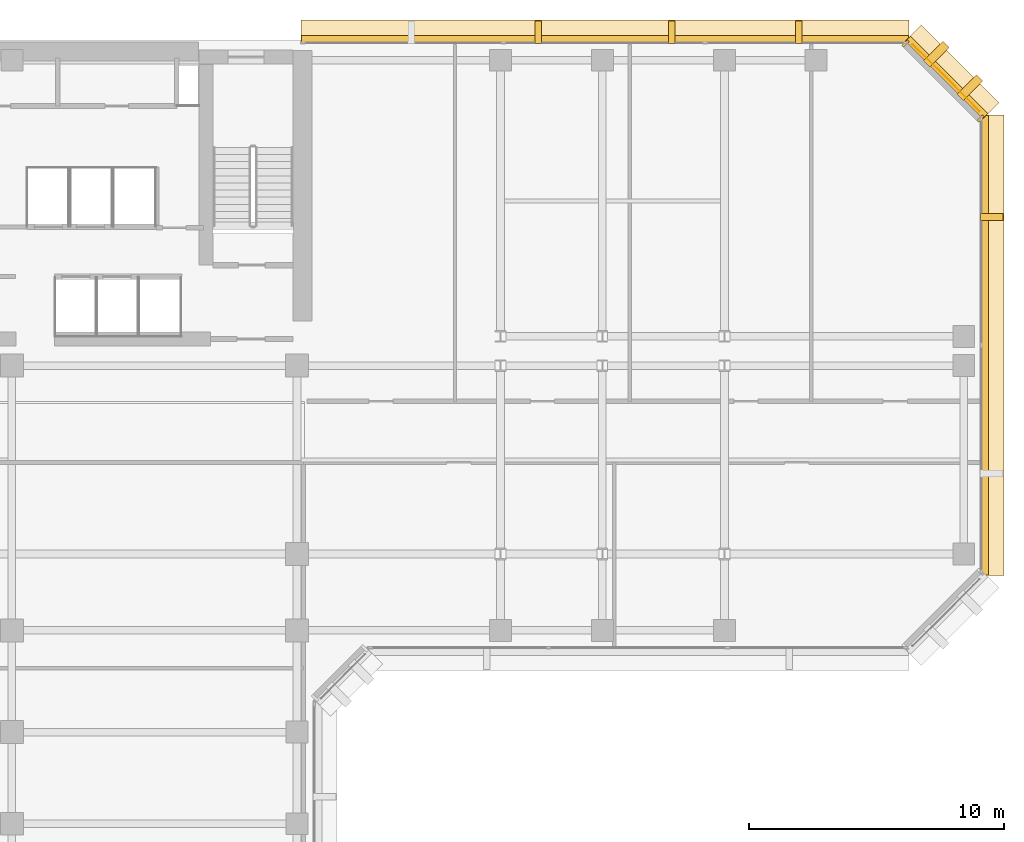
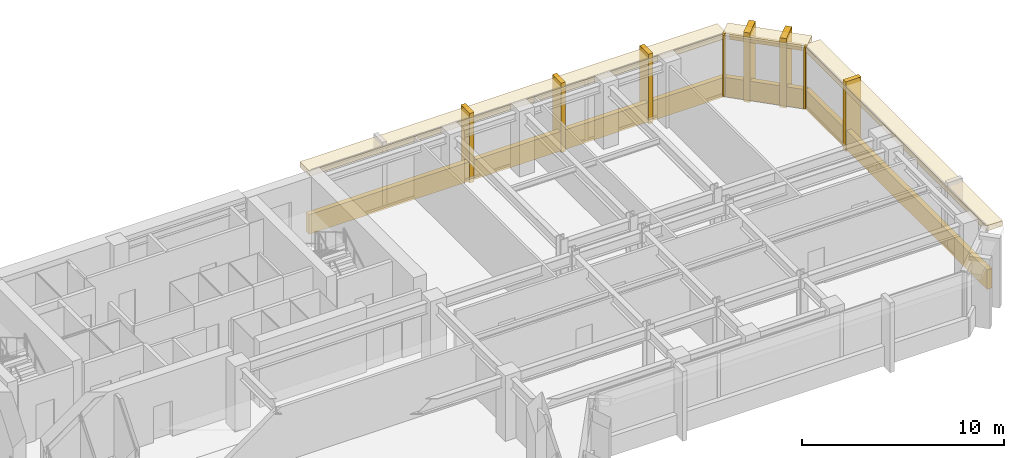
# One storey, part 11 of 11: 15 coverings.
"""IFC4 building model written with IfcOpenShell, lengths in metres."""

from ifc_helpers import new_model, si_unit, direction, frame, origin, origin_2d, place, context, subcontext, project, spatial, rectangle, extrude, material, layer, layer_set, type_object, element, save


model = new_model("IFC4")

# Units and contexts
model_context = context("Model", 3, precision=1e-05, world=origin(), true_north=direction((0.0, 1.0)))
body_context = subcontext(model_context, "Body", "Model", "MODEL_VIEW")
ifc_project = project(units=[si_unit("LENGTHUNIT", "METRE"), si_unit("AREAUNIT", "SQUARE_METRE"), si_unit("VOLUMEUNIT", "CUBIC_METRE"), si_unit("PLANEANGLEUNIT", "RADIAN"), si_unit("MASSUNIT", "GRAM", prefix="KILO")], contexts=[model_context])

# Site, building, storey
site_placement = place(None, origin())
site = spatial("IfcSite", under=ifc_project, at=site_placement, CompositionType="ELEMENT")
building_placement = place(site_placement, origin())
building = spatial("IfcBuilding", under=site, at=building_placement, Name="Kefirva Bronze Tower", CompositionType="ELEMENT")
storey_placement = place(building_placement, frame((0.0, 0.0, 138.929931640625)))
storey = spatial("IfcBuildingStorey", under=building, at=storey_placement, Name="L33", CompositionType="ELEMENT", Elevation=138.929931640625)

# Coverings
ifc_material = material(Name="Bronze anodised aluminium", Category="aluminium")
ifc_layer_1 = layer(ifc_material, 0.02001953125, Name="Bronze anodised aluminium")
ifc_layer_set_1 = layer_set([ifc_layer_1], Name="Bronze anodised aluminium")
covering_type_1 = type_object("IfcCoveringType", Name="Anodised Bronze Spandrel Cladding 20mm", PredefinedType="CLADDING", material=ifc_layer_set_1)
covering_1_placement = place(storey_placement, frame((50.239990234375, 34.0, -0.15966796875), z_axis=(0.0, 0.0, 1.0), x_axis=(0.0, 1.0, 0.0)))
element("IfcCovering", 1, at=covering_1_placement, inside=storey, type_object=covering_type_1, Name="L33 Streamline Horizontal Spandrel Band 6", PredefinedType="CLADDING", context=body_context, shape_type="SweptSolid", body=[
    extrude(rectangle(XDim=18.0400390625, YDim=0.280029296875, at=origin_2d()), origin(), (0.0, 0.0, 1.0), 1.179931640625),
])
covering_2_placement = place(storey_placement, frame((48.70703125, 44.507080078125, 3.2900390625), z_axis=(0.0, 0.0, 1.0), x_axis=(-0.707106781187, 0.707106781187, 0.0)))
element("IfcCovering", 2, at=covering_2_placement, inside=storey, type_object=covering_type_1, Name="L33 Bronze Spandrel Cladding 4", PredefinedType="CLADDING", context=body_context, shape_type="SweptSolid", body=[
    extrude(rectangle(XDim=3.719482421875, YDim=0.02001953125, at=origin_2d()), origin(), (0.0, 0.0, 1.0), 0.39990234375),
])
for number, where, z_axis, x_axis, name in (
    (3, (50.06201171875, 42.91162109375, 0.0), (0.0, 0.0, 1.0), (-0.707106781187, 0.707106781187, 0.0), "L33 Facade Joint Closure Panel 4S"),
    (4, (47.11181640625, 45.862060546875, 0.0), (0.0, 0.0, 1.0), (-0.707106781187, 0.707106781187, 0.0), "L33 Facade Joint Closure Panel 4E"),
):
    element("IfcCovering", number, at=place(storey_placement, frame(where, z_axis=z_axis, x_axis=x_axis)), inside=storey, type_object=covering_type_1, Name=name, PredefinedType="CLADDING", context=body_context, shape_type="SweptSolid", body=[
        extrude(rectangle(XDim=0.10009765625, YDim=0.320068359375, at=origin_2d()), origin(), (0.0, 0.0, 1.0), 3.7099609375),
    ])
covering_3_placement = place(storey_placement, frame((48.728271484375, 44.5283203125, -0.15966796875), z_axis=(0.0, 0.0, 1.0), x_axis=(-0.707106781187, 0.707106781187, 0.0)))
element("IfcCovering", 5, at=covering_3_placement, inside=storey, type_object=covering_type_1, Name="L33 Streamline Horizontal Spandrel Band 7", PredefinedType="CLADDING", context=body_context, shape_type="SweptSolid", body=[
    extrude(rectangle(XDim=4.28271484375, YDim=0.280029296875, at=origin_2d()), origin(), (0.0, 0.0, 1.0), 1.179931640625),
])
covering_4_placement = place(storey_placement, frame((35.302490234375, 46.0400390625, -0.15966796875), z_axis=(0.0, 0.0, 1.0), x_axis=(-1.0, 0.0, 0.0)))
element("IfcCovering", 6, at=covering_4_placement, inside=storey, type_object=covering_type_1, Name="L33 Streamline Horizontal Spandrel Band 8", PredefinedType="CLADDING", context=body_context, shape_type="SweptSolid", body=[
    extrude(rectangle(XDim=23.8349609375, YDim=0.280029296875, at=origin_2d()), origin(), (0.0, 0.0, 1.0), 1.179931640625),
])
ifc_layer_2 = layer(ifc_material, 0.179931640625, Name="Bronze anodised aluminium")
ifc_layer_set_2 = layer_set([ifc_layer_2], Name="Bronze anodised aluminium")
covering_type_2 = type_object("IfcCoveringType", Name="Streamline Bronze Sunshade Eyebrow Cladding 180mm", PredefinedType="CLADDING", material=ifc_layer_set_2)
covering_5_placement = place(storey_placement, frame((50.510009765625, 34.0, 3.39013671875), z_axis=(0.0, 0.0, 1.0), x_axis=(0.0, 1.0, 0.0)))
element("IfcCovering", 7, at=covering_5_placement, inside=storey, type_object=covering_type_2, Name="L33 Streamline Bronze Sunshade Eyebrow 6", PredefinedType="CLADDING", context=body_context, shape_type="SweptSolid", body=[
    extrude(rectangle(XDim=18.080078125, YDim=0.93994140625, at=origin_2d()), origin(), (0.0, 0.0, 1.0), 0.320068359375),
])
covering_6_placement = place(storey_placement, frame((48.919189453125, 44.71923828125, 3.39013671875), z_axis=(0.0, 0.0, 1.0), x_axis=(-0.707106781187, 0.707106781187, 0.0)))
element("IfcCovering", 8, at=covering_6_placement, inside=storey, type_object=covering_type_2, Name="L33 Streamline Bronze Sunshade Eyebrow 7", PredefinedType="CLADDING", context=body_context, shape_type="SweptSolid", body=[
    extrude(rectangle(XDim=4.322509765625, YDim=0.93994140625, at=origin_2d()), origin(), (0.0, 0.0, 1.0), 0.320068359375),
])
covering_7_placement = place(storey_placement, frame((35.302490234375, 46.31005859375, 3.39013671875), z_axis=(0.0, 0.0, 1.0), x_axis=(-1.0, 0.0, 0.0)))
element("IfcCovering", 9, at=covering_7_placement, inside=storey, type_object=covering_type_2, Name="L33 Streamline Bronze Sunshade Eyebrow 8", PredefinedType="CLADDING", context=body_context, shape_type="SweptSolid", body=[
    extrude(rectangle(XDim=23.875, YDim=0.93994140625, at=origin_2d()), origin(), (0.0, 0.0, 1.0), 0.320068359375),
])
ifc_layer_3 = layer(ifc_material, 0.260009765625, Name="Bronze anodised aluminium")
ifc_layer_set_3 = layer_set([ifc_layer_3], Name="Bronze anodised aluminium")
covering_type_3 = type_object("IfcCoveringType", Name="Unbroken Bronze Buttress Fin Cladding 260mm", PredefinedType="CLADDING", material=ifc_layer_set_3)
covering_8_placement = place(storey_placement, frame((50.5, 39.0400390625, -0.25), z_axis=(0.0, 0.0, 1.0), x_axis=(0.0, 1.0, 0.0)))
element("IfcCovering", 10, at=covering_8_placement, inside=storey, type_object=covering_type_3, Name="L33 Unbroken Vertical Bronze Rib Fin 14", PredefinedType="CLADDING", context=body_context, shape_type="SweptSolid", body=[
    extrude(rectangle(XDim=0.260009765625, YDim=0.8798828125, at=origin_2d()), origin(), (0.0, 0.0, 1.0), 4.2099609375),
])
for number, where, z_axis, x_axis, name in (
    (11, (49.642822265625, 44.122802734375, -0.25), (0.0, 0.0, 1.0), (-0.707106781187, 0.707106781187, 0.0), "L33 Chamfered Corner Buttress Fin Cladding 15"),
    (12, (48.32275390625, 45.44287109375, -0.25), (0.0, 0.0, 1.0), (-0.707106781187, 0.707106781187, 0.0), "L33 Chamfered Corner Buttress Fin Cladding 16"),
):
    element("IfcCovering", number, at=place(storey_placement, frame(where, z_axis=z_axis, x_axis=x_axis)), inside=storey, type_object=covering_type_3, Name=name, PredefinedType="CLADDING", context=body_context, shape_type="SweptSolid", body=[
        extrude(rectangle(XDim=0.340087890625, YDim=1.080078125, at=origin_2d()), origin(), (0.0, 0.0, 1.0), 4.2099609375),
    ])
for number, where, z_axis, x_axis, name in (
    (13, (42.9169921875, 46.300048828125, -0.25), (0.0, 0.0, 1.0), (-1.0, 0.0, 0.0), "L33 Unbroken Vertical Bronze Rib Fin 17"),
    (14, (37.919921875, 46.300048828125, -0.25), (0.0, 0.0, 1.0), (-1.0, 0.0, 0.0), "L33 Unbroken Vertical Bronze Rib Fin 18"),
    (15, (32.68505859375, 46.300048828125, -0.25), (0.0, 0.0, 1.0), (-1.0, 0.0, 0.0), "L33 Unbroken Vertical Bronze Rib Fin 19"),
):
    element("IfcCovering", number, at=place(storey_placement, frame(where, z_axis=z_axis, x_axis=x_axis)), inside=storey, type_object=covering_type_3, Name=name, PredefinedType="CLADDING", context=body_context, shape_type="SweptSolid", body=[
        extrude(rectangle(XDim=0.260009765625, YDim=0.8798828125, at=origin_2d()), origin(), (0.0, 0.0, 1.0), 4.2099609375),
    ])

save(model, "model.ifc")
